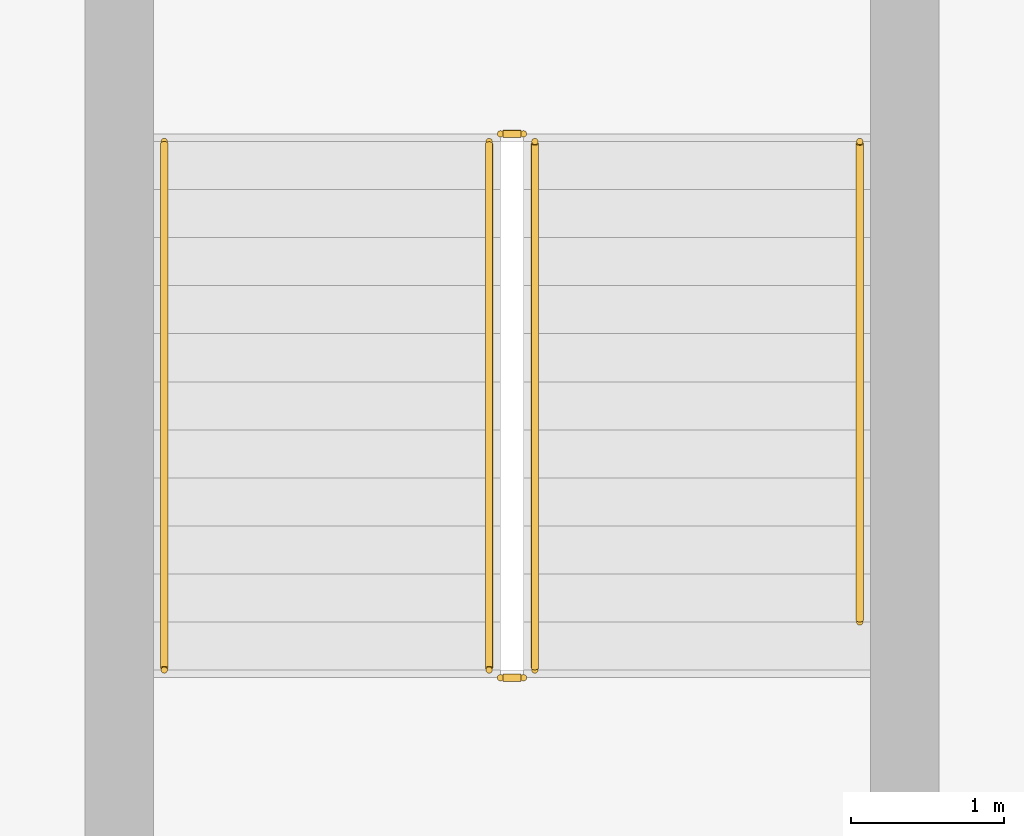
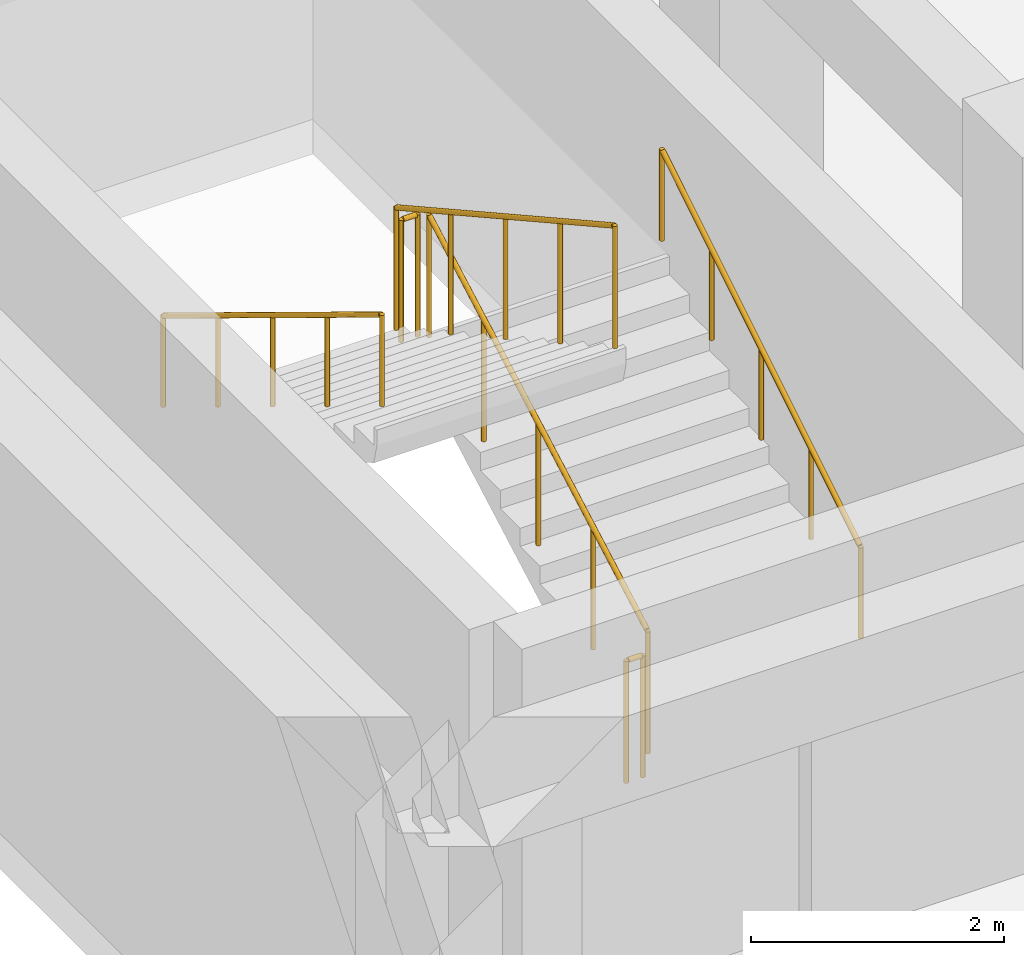
# One storey, part 27 of 39: 6 railings.
"""IFC4 building model written with IfcOpenShell, lengths in metres."""

from ifc_helpers import new_model, si_unit, direction, frame, origin, origin_2d, place, context, subcontext, project, spatial, circle, extrude, material, type_object, element, save


model = new_model("IFC4")

# Units and contexts
model_context = context("Model", 3, precision=1e-05, world=origin(), true_north=direction((0.0, 1.0)))
body_context = subcontext(model_context, "Body", "Model", "MODEL_VIEW")
ifc_project = project(units=[si_unit("LENGTHUNIT", "METRE"), si_unit("AREAUNIT", "SQUARE_METRE"), si_unit("VOLUMEUNIT", "CUBIC_METRE"), si_unit("PLANEANGLEUNIT", "RADIAN"), si_unit("MASSUNIT", "GRAM", prefix="KILO")], contexts=[model_context])

# Site, building, storey
site_placement = place(None, origin())
site = spatial("IfcSite", under=ifc_project, at=site_placement, CompositionType="ELEMENT")
building_placement = place(site_placement, origin())
building = spatial("IfcBuilding", under=site, at=building_placement, Name="Nakhvara Creek Congress Hotel", CompositionType="ELEMENT")
storey_placement = place(building_placement, frame((0.0, 0.0, -4.199951171875)))
storey = spatial("IfcBuildingStorey", under=building, at=storey_placement, Name="B1", CompositionType="ELEMENT", Elevation=-4.199951171875)

# Railings
ifc_material = material(Name="Brushed stainless steel 316L", Category="steel")
railing_type_1 = type_object("IfcRailingType", Name="RL-GUARD-1200", PredefinedType="GUARDRAIL", material=ifc_material)
railing_1_placement = place(storey_placement, frame((4.875, 75.679931640625, 0.175048828125)))
element("IfcRailing", 1, at=railing_1_placement, inside=storey, type_object=railing_type_1, Name="B1 ST07 stair guard 1", PredefinedType="GUARDRAIL", context=body_context, shape_type="SweptSolid", body=[
    extrude(circle(Radius=0.02392578125, at=origin_2d()), frame((0.0, 0.012939453125, 1.18310546875), z_axis=(0.0, 0.874183422646, 0.48559586445), x_axis=(-1.0, 0.0, 0.0)), (0.0, 0.0, 1.0), 3.934326171875),
    extrude(circle(Radius=0.02099609375, at=origin_2d()), origin(), (0.0, 0.0, 1.0), 1.1806640625),
    extrude(circle(Radius=0.02099609375, at=origin_2d()), frame((0.0, 0.8662109375, 0.481201171875)), (0.0, 0.0, 1.0), 1.1806640625),
    extrude(circle(Radius=0.02099609375, at=origin_2d()), frame((0.0, 1.732421875, 0.96240234375)), (0.0, 0.0, 1.0), 1.1806640625),
    extrude(circle(Radius=0.02099609375, at=origin_2d()), frame((0.0, 2.598876953125, 1.443603515625)), (0.0, 0.0, 1.0), 1.1806640625),
    extrude(circle(Radius=0.02099609375, at=origin_2d()), frame((0.0, 3.465087890625, 1.9248046875)), (0.0, 0.0, 1.0), 1.1806640625),
])
railing_2_placement = place(storey_placement, frame((4.800048828125, 79.195068359375, 2.099853515625)))
element("IfcRailing", 2, at=railing_2_placement, inside=storey, type_object=railing_type_1, Name="B1 ST07 stair guard 2", PredefinedType="GUARDRAIL", context=body_context, shape_type="SweptSolid", body=[
    extrude(circle(Radius=0.02392578125, at=origin_2d()), frame((-0.0146484375, 0.0, 1.17578125), z_axis=(-1.0, 0.0, 0.0), x_axis=(0.0, -1.0, 0.0)), (0.0, 0.0, 1.0), 0.120849609375),
    extrude(circle(Radius=0.02099609375, at=origin_2d()), origin(), (0.0, 0.0, 1.0), 1.1806640625),
    extrude(circle(Radius=0.02099609375, at=origin_2d()), frame((-0.150146484375, 0.0, 0.0)), (0.0, 0.0, 1.0), 1.1806640625),
])
railing_3_placement = place(storey_placement, frame((4.574951171875, 79.14501953125, 2.27490234375)))
element("IfcRailing", 3, at=railing_3_placement, inside=storey, type_object=railing_type_1, Name="B1 ST07 stair guard 3", PredefinedType="GUARDRAIL", context=body_context, shape_type="SweptSolid", body=[
    extrude(circle(Radius=0.02392578125, at=origin_2d()), frame((0.0, -0.012939453125, 1.18310546875), z_axis=(0.0, -0.874157276122, 0.485642931179), x_axis=(1.0, 0.0, 0.0)), (0.0, 0.0, 1.0), 3.9345703125),
    extrude(circle(Radius=0.02099609375, at=origin_2d()), origin(), (0.0, 0.0, 1.0), 1.1806640625),
    extrude(circle(Radius=0.02099609375, at=origin_2d()), frame((0.0, -0.8662109375, 0.481201171875)), (0.0, 0.0, 1.0), 1.1806640625),
    extrude(circle(Radius=0.02099609375, at=origin_2d()), frame((0.0, -1.732421875, 0.96240234375)), (0.0, 0.0, 1.0), 1.1806640625),
    extrude(circle(Radius=0.02099609375, at=origin_2d()), frame((0.0, -2.598876953125, 1.44384765625)), (0.0, 0.0, 1.0), 1.1806640625),
    extrude(circle(Radius=0.02099609375, at=origin_2d()), frame((0.0, -3.465087890625, 1.925048828125)), (0.0, 0.0, 1.0), 1.1806640625),
])
railing_4_placement = place(storey_placement, frame((4.800048828125, 75.6298828125, 0.0)))
element("IfcRailing", 4, at=railing_4_placement, inside=storey, type_object=railing_type_1, Name="B1 ST07 stair guard 4", PredefinedType="GUARDRAIL", context=body_context, shape_type="SweptSolid", body=[
    extrude(circle(Radius=0.02392578125, at=origin_2d()), frame((-0.0146484375, 0.0, 1.17578125), z_axis=(-1.0, 0.0, 0.0), x_axis=(0.0, -1.0, 0.0)), (0.0, 0.0, 1.0), 0.120849609375),
    extrude(circle(Radius=0.02099609375, at=origin_2d()), origin(), (0.0, 0.0, 1.0), 1.1806640625),
    extrude(circle(Radius=0.02099609375, at=origin_2d()), frame((-0.150146484375, 0.0, 0.0)), (0.0, 0.0, 1.0), 1.1806640625),
])
railing_type_2 = type_object("IfcRailingType", Name="RL-HAND-900", PredefinedType="HANDRAIL", material=ifc_material)
railing_5_placement = place(storey_placement, frame((7.0048828125, 75.9951171875, 0.349853515625)))
element("IfcRailing", 5, at=railing_5_placement, inside=storey, type_object=railing_type_2, Name="B1 ST07 stair handrail 1", PredefinedType="HANDRAIL", context=body_context, shape_type="SweptSolid", body=[
    extrude(circle(Radius=0.02392578125, at=origin_2d()), frame((0.0, 0.012451171875, 0.883544921875), z_axis=(0.0, 0.85194385619, 0.523633140567), x_axis=(-1.0, 0.0, 0.0)), (0.0, 0.0, 1.0), 3.66796875),
    extrude(circle(Radius=0.02099609375, at=origin_2d()), origin(), (0.0, 0.0, 1.0), 0.880615234375),
    extrude(circle(Radius=0.02099609375, at=origin_2d()), frame((0.0, 0.78759765625, 0.48388671875)), (0.0, 0.0, 1.0), 0.880615234375),
    extrude(circle(Radius=0.02099609375, at=origin_2d()), frame((0.0, 1.574951171875, 0.968017578125)), (0.0, 0.0, 1.0), 0.880615234375),
    extrude(circle(Radius=0.02099609375, at=origin_2d()), frame((0.0, 2.3623046875, 1.4521484375)), (0.0, 0.0, 1.0), 0.880615234375),
    extrude(circle(Radius=0.02099609375, at=origin_2d()), frame((0.0, 3.14990234375, 1.93603515625)), (0.0, 0.0, 1.0), 0.880615234375),
])
railing_6_placement = place(storey_placement, frame((2.445068359375, 79.14501953125, 2.27490234375)))
element("IfcRailing", 6, at=railing_6_placement, inside=storey, type_object=railing_type_2, Name="B1 ST07 stair handrail 2", PredefinedType="HANDRAIL", context=body_context, shape_type="SweptSolid", body=[
    extrude(circle(Radius=0.02392578125, at=origin_2d()), frame((0.0, -0.012451171875, 0.883544921875), z_axis=(0.0, -0.853990507121, 0.520288586985), x_axis=(1.0, 0.0, 0.0)), (0.0, 0.0, 1.0), 4.028076171875),
    extrude(circle(Radius=0.02099609375, at=origin_2d()), origin(), (0.0, 0.0, 1.0), 0.880615234375),
    extrude(circle(Radius=0.02099609375, at=origin_2d()), frame((0.0, -0.8662109375, 0.52783203125)), (0.0, 0.0, 1.0), 0.880615234375),
    extrude(circle(Radius=0.02099609375, at=origin_2d()), frame((0.0, -1.732421875, 1.0556640625)), (0.0, 0.0, 1.0), 0.880615234375),
    extrude(circle(Radius=0.02099609375, at=origin_2d()), frame((0.0, -2.598876953125, 1.583251953125)), (0.0, 0.0, 1.0), 0.880615234375),
    extrude(circle(Radius=0.02099609375, at=origin_2d()), frame((0.0, -3.465087890625, 2.111083984375)), (0.0, 0.0, 1.0), 0.880615234375),
])

save(model, "model.ifc")
